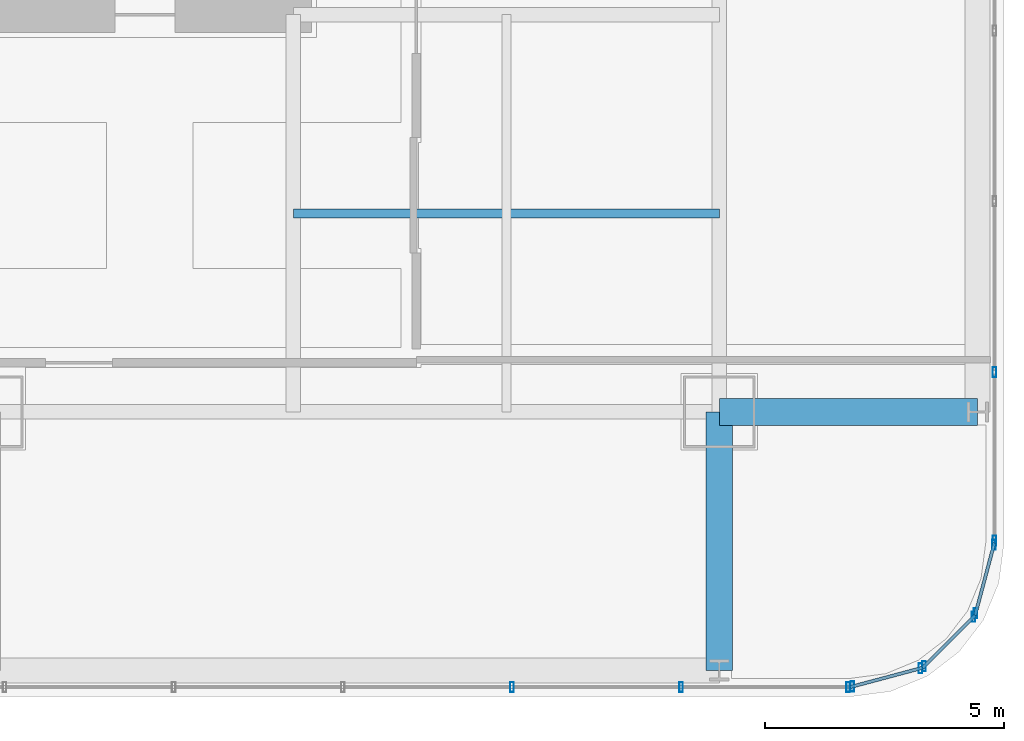
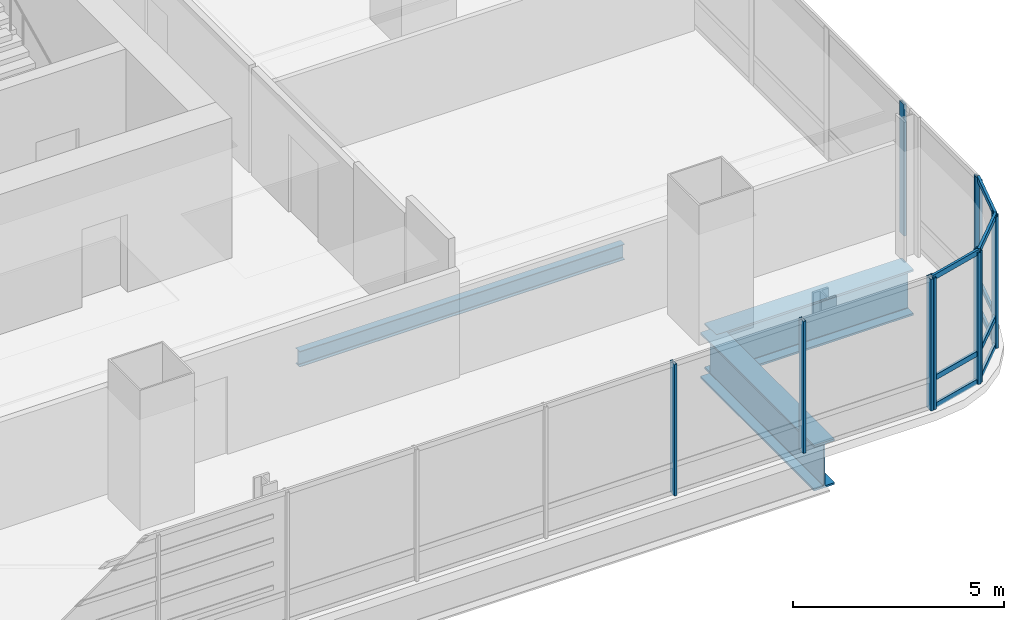
# One storey, part 12 of 35: 20 members, 3 beams, 5 elements without a shape of their own.
"""IFC4 building model written with IfcOpenShell, lengths in metres."""

from ifc_helpers import new_model, si_unit, direction, frame, origin, origin_2d, place, context, subcontext, project, spatial, hollow_rectangle, i_section, extrude, material, material_profile, profile_set, type_object, element, aggregate, save


model = new_model("IFC4")

# Units and contexts
model_context = context("Model", 3, precision=1e-05, world=origin(), true_north=direction((0.0, 1.0)))
body_context = subcontext(model_context, "Body", "Model", "MODEL_VIEW")
ifc_project = project(units=[si_unit("LENGTHUNIT", "METRE"), si_unit("AREAUNIT", "SQUARE_METRE"), si_unit("VOLUMEUNIT", "CUBIC_METRE"), si_unit("PLANEANGLEUNIT", "RADIAN"), si_unit("MASSUNIT", "GRAM", prefix="KILO")], contexts=[model_context])

# Site, building, storey
site_placement = place(None, origin())
site = spatial("IfcSite", under=ifc_project, at=site_placement, CompositionType="ELEMENT")
building_placement = place(site_placement, origin())
building = spatial("IfcBuilding", under=site, at=building_placement, Name="Punatoya Terracotta Tower", CompositionType="ELEMENT")
storey_placement = place(building_placement, frame((0.0, 0.0, 68.699951171875)))
storey = spatial("IfcBuildingStorey", under=building, at=storey_placement, Name="L15", CompositionType="ELEMENT", Elevation=68.699951171875)

# Beams
ifc_material_1 = material(Name="Steel S355", Category="steel")
ifc_material_profile_1 = material_profile(ifc_material_1, i_section(OverallWidth=0.18994140625, OverallDepth=0.449951171875, WebThickness=0.009521484375, FlangeThickness=0.0146484375, FilletRadius=0.01806640625, at=origin_2d()))
ifc_profile_set_1 = profile_set([ifc_material_profile_1], Name="Steel S355")
beam_type_1 = type_object("IfcBeamType", Name="BM-SEC-450", PredefinedType="JOIST", material=ifc_profile_set_1)
beam_placement = place(storey_placement, frame((10.199951171875, -13.35009765625, -0.46484375), z_axis=(1.0, 0.0, 0.0), x_axis=(0.0, 1.0, 0.0)))
element("IfcBeam", 1, at=beam_placement, inside=storey, type_object=beam_type_1, Name="BM-L15-SJS-2", PredefinedType="JOIST", context=body_context, shape_type="SweptSolid", body=[
    extrude(i_section(OverallWidth=0.18994140625, OverallDepth=0.449951171875, WebThickness=0.009521484375, FlangeThickness=0.0146484375, FilletRadius=0.01806640625, at=origin_2d()), origin(), (0.0, 0.0, 1.0), 8.900146484375),
])
ifc_material_2 = material(Name="Steel S460", Category="steel")
ifc_material_profile_2 = material_profile(ifc_material_2, i_section(OverallWidth=0.56005859375, OverallDepth=1.320068359375, WebThickness=0.035888671875, FlangeThickness=0.054931640625, FilletRadius=0.01806640625, at=origin_2d()))
ifc_profile_set_2 = profile_set([ifc_material_profile_2], Name="Steel S460")
beam_type_2 = type_object("IfcBeamType", Name="BM-TG-BLK", PredefinedType="BEAM", material=ifc_profile_set_2)
for number, where, z_axis, x_axis, name in (
    (2, (19.10009765625, -17.5, -0.89990234375), (1.0, 0.0, 0.0), (0.0, 1.0, 0.0), "BM-L15-CANT-E1"),
    (3, (19.10009765625, -22.89990234375, -0.89990234375), (0.0, 1.0, 0.0), (-1.0, 0.0, 0.0), "BM-L15-CANT-S4"),
):
    element("IfcBeam", number, at=place(storey_placement, frame(where, z_axis=z_axis, x_axis=x_axis)), inside=storey, type_object=beam_type_2, Name=name, PredefinedType="BEAM", context=body_context, shape_type="SweptSolid", body=[
        extrude(i_section(OverallWidth=0.56005859375, OverallDepth=1.320068359375, WebThickness=0.035888671875, FlangeThickness=0.054931640625, FilletRadius=0.01806640625, at=origin_2d()), origin(), (0.0, 0.0, 1.0), 5.39990234375),
    ])

# Curtain wall, members
ifc_material_3 = material(Name="Aluminium 6063-T6 + Double Low-E Glass", Category="aluminium")
curtain_wall_type = type_object("IfcCurtainWallType", Name="CW-M1", PredefinedType="NOTDEFINED", material=ifc_material_3)
curtain_wall_1_placement = place(storey_placement, origin())
curtain_wall_1 = element("IfcCurtainWall", 4, at=curtain_wall_1_placement, inside=storey, type_object=curtain_wall_type, Name="L15 Curtain Wall CW-L15-S01-1", PredefinedType="NOTDEFINED")
ifc_material_4 = material(Name="Aluminium 6063-T6", Category="aluminium")
ifc_material_profile_3 = material_profile(ifc_material_4, hollow_rectangle(XDim=0.074951171875, YDim=0.2099609375, WallThickness=0.00439453125, at=origin_2d()))
ifc_profile_set_3 = profile_set([ifc_material_profile_3], Name="Aluminium 6063-T6")
member_type_1 = type_object("IfcMemberType", Name="CW-MUL-M1", PredefinedType="MULLION", material=ifc_profile_set_3)
member_1_placement = place(storey_placement, frame((14.768798828125, -23.25, 0.0), z_axis=(0.0, 0.0, 1.0), x_axis=(1.0, 0.0, 0.0)))
member_1 = element("IfcMember", 5, at=member_1_placement, type_object=member_type_1, Name="CW-L15-S01-1 Mullion 09", PredefinedType="MULLION", context=body_context, shape_type="SweptSolid", body=[
    extrude(hollow_rectangle(XDim=0.074951171875, YDim=0.2099609375, WallThickness=0.00439453125, at=origin_2d()), origin(), (0.0, 0.0, 1.0), 3.81005859375),
])
member_2_placement = place(storey_placement, frame((18.302978515625, -23.25, 0.0), z_axis=(0.0, 0.0, 1.0), x_axis=(1.0, 0.0, 0.0)))
member_2 = element("IfcMember", 6, at=member_2_placement, type_object=member_type_1, Name="CW-L15-S01-1 Mullion 10", PredefinedType="MULLION", context=body_context, shape_type="SweptSolid", body=[
    extrude(hollow_rectangle(XDim=0.074951171875, YDim=0.2099609375, WallThickness=0.00439453125, at=origin_2d()), origin(), (0.0, 0.0, 1.0), 3.81005859375),
])
member_3_placement = place(storey_placement, frame((21.7919921875, -23.25, 0.0), z_axis=(0.0, 0.0, 1.0), x_axis=(1.0, 0.0, 0.0)))
member_3 = element("IfcMember", 7, at=member_3_placement, type_object=member_type_1, Name="CW-L15-S01-1 Mullion 11", PredefinedType="MULLION", context=body_context, shape_type="SweptSolid", body=[
    extrude(hollow_rectangle(XDim=0.074951171875, YDim=0.2099609375, WallThickness=0.00439453125, at=origin_2d()), origin(), (0.0, 0.0, 1.0), 3.81005859375),
])
aggregate(curtain_wall_1, [member_1, member_2, member_3])

curtain_wall_2_placement = place(storey_placement, origin())
curtain_wall_2 = element("IfcCurtainWall", 8, at=curtain_wall_2_placement, inside=storey, type_object=curtain_wall_type, Name="L15 Curtain Wall CW-L15-CRN02", PredefinedType="NOTDEFINED")
member_4_placement = place(storey_placement, frame((21.88037109375, -23.23828125, 0.0), z_axis=(0.0, 0.0, 1.0), x_axis=(1.0, 0.0, 0.0)))
member_4 = element("IfcMember", 9, at=member_4_placement, type_object=member_type_1, Name="CW-L15-CRN02 Mullion 00", PredefinedType="MULLION", context=body_context, shape_type="SweptSolid", body=[
    extrude(hollow_rectangle(XDim=0.074951171875, YDim=0.2099609375, WallThickness=0.00439453125, at=origin_2d()), origin(), (0.0, 0.0, 1.0), 3.81005859375),
])
member_5_placement = place(storey_placement, frame((23.3056640625, -22.858154296875, 0.0), z_axis=(0.0, 0.0, 1.0), x_axis=(1.0, 0.0, 0.0)))
member_5 = element("IfcMember", 10, at=member_5_placement, type_object=member_type_1, Name="CW-L15-CRN02 Mullion 01", PredefinedType="MULLION", context=body_context, shape_type="SweptSolid", body=[
    extrude(hollow_rectangle(XDim=0.074951171875, YDim=0.2099609375, WallThickness=0.00439453125, at=origin_2d()), origin(), (0.0, 0.0, 1.0), 3.81005859375),
])

curtain_wall_3_placement = place(storey_placement, origin())
curtain_wall_3 = element("IfcCurtainWall", 11, at=curtain_wall_3_placement, inside=storey, type_object=curtain_wall_type, Name="L15 Curtain Wall CW-L15-CRN03", PredefinedType="NOTDEFINED")
member_6_placement = place(storey_placement, frame((23.380859375, -22.814697265625, 0.0), z_axis=(0.0, 0.0, 1.0), x_axis=(1.0, 0.0, 0.0)))
member_6 = element("IfcMember", 12, at=member_6_placement, type_object=member_type_1, Name="CW-L15-CRN03 Mullion 00", PredefinedType="MULLION", context=body_context, shape_type="SweptSolid", body=[
    extrude(hollow_rectangle(XDim=0.074951171875, YDim=0.2099609375, WallThickness=0.00439453125, at=origin_2d()), origin(), (0.0, 0.0, 1.0), 3.81005859375),
])
member_7_placement = place(storey_placement, frame((24.414794921875, -21.781005859375, 0.0), z_axis=(0.0, 0.0, 1.0), x_axis=(1.0, 0.0, 0.0)))
member_7 = element("IfcMember", 13, at=member_7_placement, type_object=member_type_1, Name="CW-L15-CRN03 Mullion 01", PredefinedType="MULLION", context=body_context, shape_type="SweptSolid", body=[
    extrude(hollow_rectangle(XDim=0.074951171875, YDim=0.2099609375, WallThickness=0.00439453125, at=origin_2d()), origin(), (0.0, 0.0, 1.0), 3.81005859375),
])

curtain_wall_4_placement = place(storey_placement, origin())
curtain_wall_4 = element("IfcCurtainWall", 14, at=curtain_wall_4_placement, inside=storey, type_object=curtain_wall_type, Name="L15 Curtain Wall CW-L15-CRN04", PredefinedType="NOTDEFINED")
member_8_placement = place(storey_placement, frame((24.458251953125, -21.70556640625, 0.0), z_axis=(0.0, 0.0, 1.0), x_axis=(1.0, 0.0, 0.0)))
member_8 = element("IfcMember", 15, at=member_8_placement, type_object=member_type_1, Name="CW-L15-CRN04 Mullion 00", PredefinedType="MULLION", context=body_context, shape_type="SweptSolid", body=[
    extrude(hollow_rectangle(XDim=0.074951171875, YDim=0.2099609375, WallThickness=0.00439453125, at=origin_2d()), origin(), (0.0, 0.0, 1.0), 3.81005859375),
])
member_9_placement = place(storey_placement, frame((24.83837890625, -20.280517578125, 0.0), z_axis=(0.0, 0.0, 1.0), x_axis=(1.0, 0.0, 0.0)))
member_9 = element("IfcMember", 16, at=member_9_placement, type_object=member_type_1, Name="CW-L15-CRN04 Mullion 01", PredefinedType="MULLION", context=body_context, shape_type="SweptSolid", body=[
    extrude(hollow_rectangle(XDim=0.074951171875, YDim=0.2099609375, WallThickness=0.00439453125, at=origin_2d()), origin(), (0.0, 0.0, 1.0), 3.81005859375),
])

curtain_wall_5_placement = place(storey_placement, origin())
curtain_wall_5 = element("IfcCurtainWall", 17, at=curtain_wall_5_placement, inside=storey, type_object=curtain_wall_type, Name="L15 Curtain Wall CW-L15-E05-1", PredefinedType="NOTDEFINED")
member_10_placement = place(storey_placement, frame((24.85009765625, -20.19189453125, 0.0), z_axis=(0.0, 0.0, 1.0), x_axis=(1.0, 0.0, 0.0)))
member_10 = element("IfcMember", 18, at=member_10_placement, type_object=member_type_1, Name="CW-L15-E05-1 Mullion 00", PredefinedType="MULLION", context=body_context, shape_type="SweptSolid", body=[
    extrude(hollow_rectangle(XDim=0.074951171875, YDim=0.2099609375, WallThickness=0.00439453125, at=origin_2d()), origin(), (0.0, 0.0, 1.0), 3.81005859375),
])
member_11_placement = place(storey_placement, frame((24.85009765625, -16.66943359375, 0.0), z_axis=(0.0, 0.0, 1.0), x_axis=(1.0, 0.0, 0.0)))
member_11 = element("IfcMember", 19, at=member_11_placement, type_object=member_type_1, Name="CW-L15-E05-1 Mullion 01", PredefinedType="MULLION", context=body_context, shape_type="SweptSolid", body=[
    extrude(hollow_rectangle(XDim=0.074951171875, YDim=0.2099609375, WallThickness=0.00439453125, at=origin_2d()), origin(), (0.0, 0.0, 1.0), 3.81005859375),
])
aggregate(curtain_wall_5, [member_10, member_11])

# Member
ifc_material_profile_4 = material_profile(ifc_material_4, hollow_rectangle(XDim=0.068115234375, YDim=0.14990234375, WallThickness=0.00390625, at=origin_2d()))
ifc_profile_set_4 = profile_set([ifc_material_profile_4], Name="Aluminium 6063-T6")
member_type_2 = type_object("IfcMemberType", Name="CW-TRN-TYP", PredefinedType="USERDEFINED", material=ifc_profile_set_4)
member_12_placement = place(storey_placement, frame((21.8369140625, -23.25, 0.0400390625), z_axis=(0.966224582397, 0.257701486942, 0.0), x_axis=(-0.257701486942, 0.966224582397, 0.0)))
member_12 = element("IfcMember", 20, at=member_12_placement, type_object=member_type_2, Name="CW-L15-CRN02 Transom 1", ObjectType="TRANSOM", PredefinedType="USERDEFINED", context=body_context, shape_type="SweptSolid", body=[
    extrude(hollow_rectangle(XDim=0.068115234375, YDim=0.14990234375, WallThickness=0.00390625, at=origin_2d()), origin(), (0.0, 0.0, 1.0), 1.565185546875),
])

member_13_placement = place(storey_placement, frame((21.8369140625, -23.25, 0.85009765625), z_axis=(0.966224582397, 0.257701486942, 0.0), x_axis=(-0.257701486942, 0.966224582397, 0.0)))
member_13 = element("IfcMember", 21, at=member_13_placement, type_object=member_type_2, Name="CW-L15-CRN02 Transom 2", ObjectType="TRANSOM", PredefinedType="USERDEFINED", context=body_context, shape_type="SweptSolid", body=[
    extrude(hollow_rectangle(XDim=0.068115234375, YDim=0.14990234375, WallThickness=0.00390625, at=origin_2d()), origin(), (0.0, 0.0, 1.0), 1.565185546875),
])

member_14_placement = place(storey_placement, frame((21.8369140625, -23.25, 3.77001953125), z_axis=(0.966224582397, 0.257701486942, 0.0), x_axis=(-0.257701486942, 0.966224582397, 0.0)))
member_14 = element("IfcMember", 22, at=member_14_placement, type_object=member_type_2, Name="CW-L15-CRN02 Transom 3", ObjectType="TRANSOM", PredefinedType="USERDEFINED", context=body_context, shape_type="SweptSolid", body=[
    extrude(hollow_rectangle(XDim=0.068115234375, YDim=0.14990234375, WallThickness=0.00390625, at=origin_2d()), origin(), (0.0, 0.0, 1.0), 1.565185546875),
])

aggregate(curtain_wall_2, [member_4, member_5, member_12, member_13, member_14])

member_15_placement = place(storey_placement, frame((23.34912109375, -22.8466796875, 0.0400390625), z_axis=(0.707028130747, 0.707185422879, 0.0), x_axis=(-0.707185422879, 0.707028130747, 0.0)))
member_15 = element("IfcMember", 23, at=member_15_placement, type_object=member_type_2, Name="CW-L15-CRN03 Transom 1", ObjectType="TRANSOM", PredefinedType="USERDEFINED", context=body_context, shape_type="SweptSolid", body=[
    extrude(hollow_rectangle(XDim=0.068115234375, YDim=0.14990234375, WallThickness=0.00390625, at=origin_2d()), origin(), (0.0, 0.0, 1.0), 1.55224609375),
])

member_16_placement = place(storey_placement, frame((23.34912109375, -22.8466796875, 0.85009765625), z_axis=(0.707028130747, 0.707185422879, 0.0), x_axis=(-0.707185422879, 0.707028130747, 0.0)))
member_16 = element("IfcMember", 24, at=member_16_placement, type_object=member_type_2, Name="CW-L15-CRN03 Transom 2", ObjectType="TRANSOM", PredefinedType="USERDEFINED", context=body_context, shape_type="SweptSolid", body=[
    extrude(hollow_rectangle(XDim=0.068115234375, YDim=0.14990234375, WallThickness=0.00390625, at=origin_2d()), origin(), (0.0, 0.0, 1.0), 1.55224609375),
])

member_17_placement = place(storey_placement, frame((23.34912109375, -22.8466796875, 3.77001953125), z_axis=(0.707028130747, 0.707185422879, 0.0), x_axis=(-0.707185422879, 0.707028130747, 0.0)))
member_17 = element("IfcMember", 25, at=member_17_placement, type_object=member_type_2, Name="CW-L15-CRN03 Transom 3", ObjectType="TRANSOM", PredefinedType="USERDEFINED", context=body_context, shape_type="SweptSolid", body=[
    extrude(hollow_rectangle(XDim=0.068115234375, YDim=0.14990234375, WallThickness=0.00390625, at=origin_2d()), origin(), (0.0, 0.0, 1.0), 1.55224609375),
])

aggregate(curtain_wall_3, [member_6, member_7, member_15, member_16, member_17])

member_18_placement = place(storey_placement, frame((24.446533203125, -21.7490234375, 0.0400390625), z_axis=(0.257847112249, 0.966185730957, 0.0), x_axis=(-0.966185730957, 0.257847112249, 0.0)))
member_18 = element("IfcMember", 26, at=member_18_placement, type_object=member_type_2, Name="CW-L15-CRN04 Transom 1", ObjectType="TRANSOM", PredefinedType="USERDEFINED", context=body_context, shape_type="SweptSolid", body=[
    extrude(hollow_rectangle(XDim=0.068115234375, YDim=0.14990234375, WallThickness=0.00390625, at=origin_2d()), origin(), (0.0, 0.0, 1.0), 1.565185546875),
])

member_19_placement = place(storey_placement, frame((24.446533203125, -21.7490234375, 0.85009765625), z_axis=(0.257847112249, 0.966185730957, 0.0), x_axis=(-0.966185730957, 0.257847112249, 0.0)))
member_19 = element("IfcMember", 27, at=member_19_placement, type_object=member_type_2, Name="CW-L15-CRN04 Transom 2", ObjectType="TRANSOM", PredefinedType="USERDEFINED", context=body_context, shape_type="SweptSolid", body=[
    extrude(hollow_rectangle(XDim=0.068115234375, YDim=0.14990234375, WallThickness=0.00390625, at=origin_2d()), origin(), (0.0, 0.0, 1.0), 1.565185546875),
])

member_20_placement = place(storey_placement, frame((24.446533203125, -21.7490234375, 3.77001953125), z_axis=(0.257847112249, 0.966185730957, 0.0), x_axis=(-0.966185730957, 0.257847112249, 0.0)))
member_20 = element("IfcMember", 28, at=member_20_placement, type_object=member_type_2, Name="CW-L15-CRN04 Transom 3", ObjectType="TRANSOM", PredefinedType="USERDEFINED", context=body_context, shape_type="SweptSolid", body=[
    extrude(hollow_rectangle(XDim=0.068115234375, YDim=0.14990234375, WallThickness=0.00390625, at=origin_2d()), origin(), (0.0, 0.0, 1.0), 1.565185546875),
])

aggregate(curtain_wall_4, [member_8, member_9, member_18, member_19, member_20])

save(model, "model.ifc")
